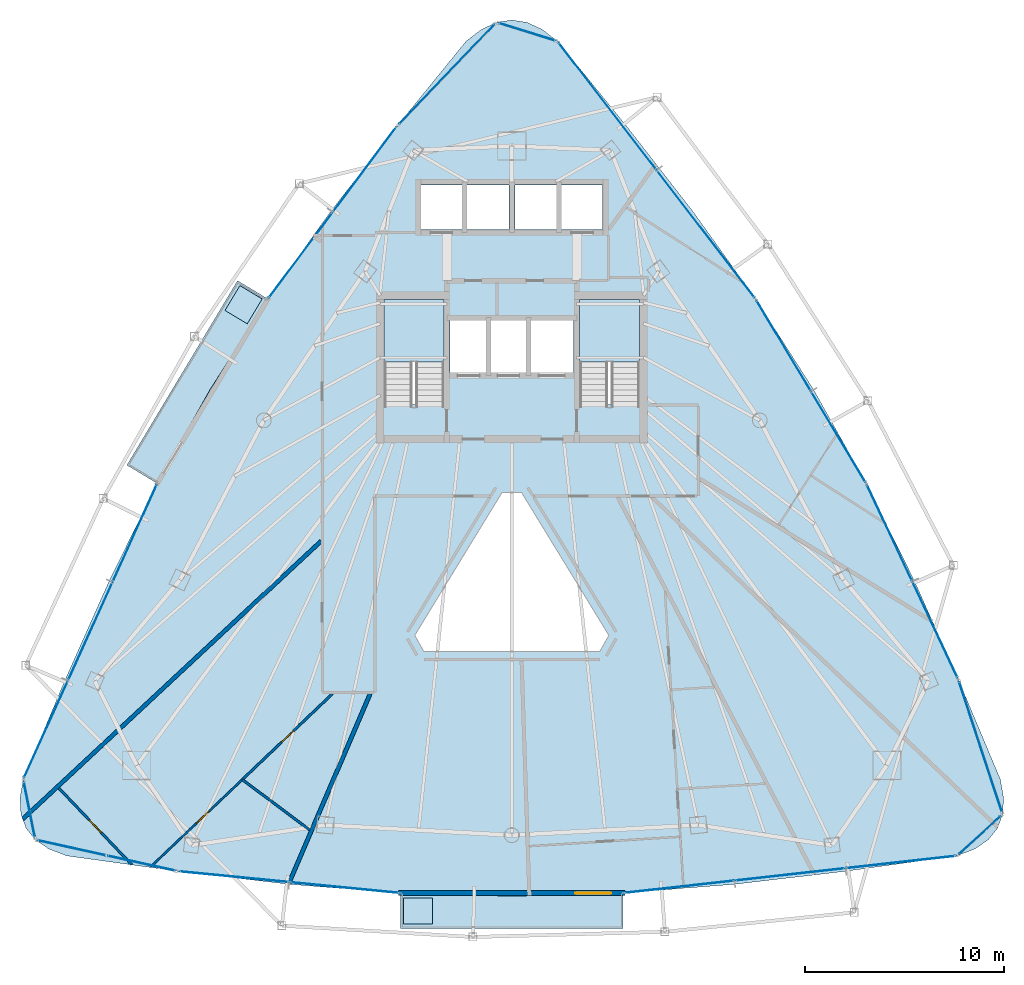
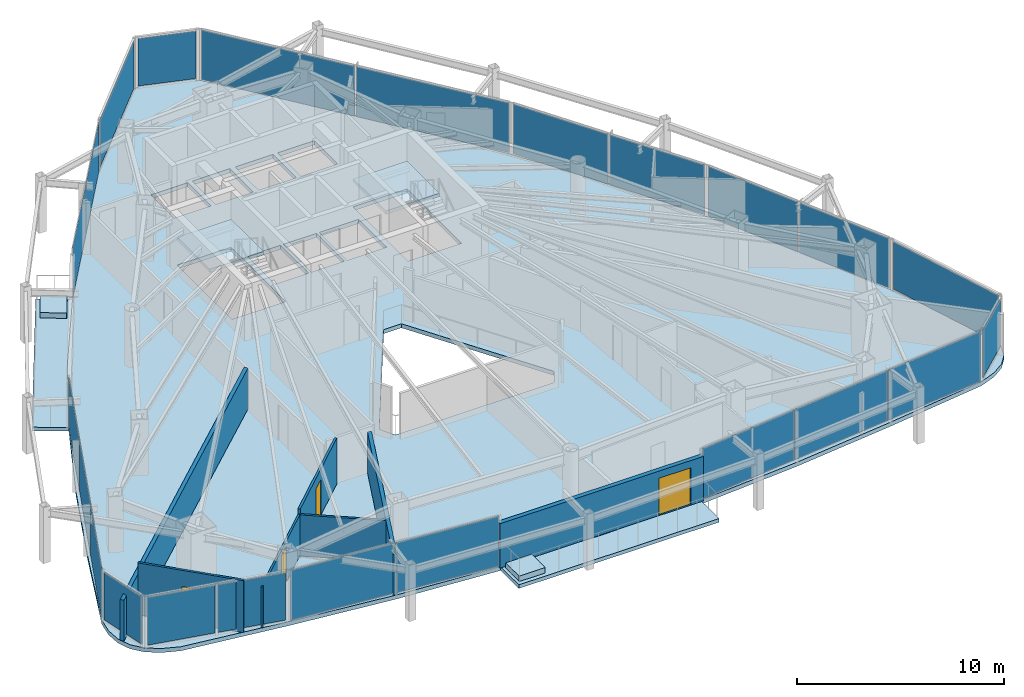
# One storey, part 23 of 29: 23 plates, 7 slabs, 7 walls, 4 doors, 4 openings, 15 elements without a shape of their own.
"""IFC4 building model written with IfcOpenShell, lengths in metres."""

from ifc_helpers import new_model, si_unit, direction, frame, frame_2d, origin, origin_2d, place, context, subcontext, project, spatial, polyline, rectangle, outline, extrude, material, layer, layer_set, type_object, element, fill, aggregate, save


model = new_model("IFC4")

# Units and contexts
model_context = context("Model", 3, precision=1e-05, world=origin(), true_north=direction((0.0, 1.0)))
body_context = subcontext(model_context, "Body", "Model", "MODEL_VIEW")
ifc_project = project(units=[si_unit("LENGTHUNIT", "METRE"), si_unit("AREAUNIT", "SQUARE_METRE"), si_unit("VOLUMEUNIT", "CUBIC_METRE"), si_unit("PLANEANGLEUNIT", "RADIAN"), si_unit("MASSUNIT", "GRAM", prefix="KILO")], contexts=[model_context])

# Site, building, storey
site_placement = place(None, origin())
site = spatial("IfcSite", under=ifc_project, at=site_placement, CompositionType="ELEMENT")
building_placement = place(site_placement, origin())
building = spatial("IfcBuilding", under=site, at=building_placement, Name="Orvanel Arch Residences", CompositionType="ELEMENT")
storey_placement = place(building_placement, frame((0.0, 0.0, 170.449951171875)))
storey = spatial("IfcBuildingStorey", under=building, at=storey_placement, Name="L48", CompositionType="ELEMENT", Elevation=170.449951171875)

# Curtain wall, plates
ifc_material_1 = material(Name="Bronze-anodised aluminium AA6063-T6", Category="aluminium")
ifc_layer_1 = layer(ifc_material_1, 0.179931640625)
ifc_layer_set_1 = layer_set([ifc_layer_1], Name="Bronze-anodised aluminium AA6063-T6")
curtain_wall_type_1 = type_object("IfcCurtainWallType", Name="CW3-MID-SYS", PredefinedType="NOTDEFINED", material=ifc_layer_set_1)
curtain_wall_1_placement = place(storey_placement, origin())
curtain_wall_1 = element("IfcCurtainWall", 1, at=curtain_wall_1_placement, inside=storey, type_object=curtain_wall_type_1, Name="L48 CW3-MID-SYS Unitised Curtain Wall", PredefinedType="NOTDEFINED")
ifc_material_2 = material(Name="Double-glazed solar-control low-E safety glass", Category="glass")
ifc_layer_2 = layer(ifc_material_2, 0.028076171875)
ifc_layer_set_2 = layer_set([ifc_layer_2], Name="Double-glazed solar-control low-E safety glass")
plate_type_1 = type_object("IfcPlateType", Name="PNL-GLZ-28", PredefinedType="CURTAIN_PANEL", material=ifc_layer_set_2)
plate_1_placement = place(storey_placement, frame((25.62255859375, 40.218017578125, 0.06005859375), z_axis=(0.0, 0.0, 1.0), x_axis=(-0.598279718492, -0.801287325771, 0.0)))
plate_1 = element("IfcPlate", 2, at=plate_1_placement, type_object=plate_type_1, Name="CW-S3 panel 1.1", PredefinedType="CURTAIN_PANEL", context=body_context, shape_type="SweptSolid", body=[
    extrude(rectangle(XDim=5.293701171875, YDim=0.028076171875, at=origin_2d()), origin(), (0.0, 0.0, 1.0), 2.93994140625),
])
plate_2_placement = place(storey_placement, frame((22.41357421875, 35.919921875, 0.06005859375), z_axis=(0.0, 0.0, 1.0), x_axis=(-0.598279718492, -0.801287325771, 0.0)))
plate_2 = element("IfcPlate", 3, at=plate_2_placement, type_object=plate_type_1, Name="CW-S3 panel 2.1", PredefinedType="CURTAIN_PANEL", context=body_context, shape_type="SweptSolid", body=[
    extrude(rectangle(XDim=5.293701171875, YDim=0.028076171875, at=origin_2d()), origin(), (0.0, 0.0, 1.0), 2.93994140625),
])
aggregate(curtain_wall_1, [plate_1, plate_2])

curtain_wall_2_placement = place(storey_placement, origin())
curtain_wall_2 = element("IfcCurtainWall", 4, at=curtain_wall_2_placement, inside=storey, type_object=curtain_wall_type_1, Name="L48 CW3-MID-SYS Unitised Curtain Wall", PredefinedType="NOTDEFINED")
plate_3_placement = place(storey_placement, frame((14.09765625, 21.9814453125, 0.06005859375), z_axis=(0.0, 0.0, 1.0), x_axis=(-0.412726386119, -0.910855054441, 0.0)))
plate_3 = element("IfcPlate", 5, at=plate_3_placement, type_object=plate_type_1, Name="CW-S3 panel 1.1", PredefinedType="CURTAIN_PANEL", context=body_context, shape_type="SweptSolid", body=[
    extrude(rectangle(XDim=5.30859375, YDim=0.028076171875, at=origin_2d()), origin(), (0.0, 0.0, 1.0), 2.93994140625),
])
plate_4_placement = place(storey_placement, frame((11.87060546875, 17.06640625, 0.06005859375), z_axis=(0.0, 0.0, 1.0), x_axis=(-0.412726386119, -0.910855054441, 0.0)))
plate_4 = element("IfcPlate", 6, at=plate_4_placement, type_object=plate_type_1, Name="CW-S3 panel 2.1", PredefinedType="CURTAIN_PANEL", context=body_context, shape_type="SweptSolid", body=[
    extrude(rectangle(XDim=5.343505859375, YDim=0.028076171875, at=origin_2d()), origin(), (0.0, 0.0, 1.0), 2.93994140625),
])
plate_5_placement = place(storey_placement, frame((9.643310546875, 12.1513671875, 0.06005859375), z_axis=(0.0, 0.0, 1.0), x_axis=(-0.412726386119, -0.910855054441, 0.0)))
plate_5 = element("IfcPlate", 7, at=plate_5_placement, type_object=plate_type_1, Name="CW-S3 panel 3.1", PredefinedType="CURTAIN_PANEL", context=body_context, shape_type="SweptSolid", body=[
    extrude(rectangle(XDim=5.30859375, YDim=0.028076171875, at=origin_2d()), origin(), (0.0, 0.0, 1.0), 2.93994140625),
])
aggregate(curtain_wall_2, [plate_3, plate_4, plate_5])

curtain_wall_3_placement = place(storey_placement, origin())
curtain_wall_3 = element("IfcCurtainWall", 8, at=curtain_wall_3_placement, inside=storey, type_object=curtain_wall_type_1, Name="L48 CW3-MID-SYS Unitised Curtain Wall", PredefinedType="NOTDEFINED")
plate_6_placement = place(storey_placement, frame((19.081787109375, 4.761962890625, 0.06005859375), z_axis=(0.0, 0.0, 1.0), x_axis=(0.995236362912, -0.097491445455, 0.0)))
plate_6 = element("IfcPlate", 9, at=plate_6_placement, type_object=plate_type_1, Name="CW-S3 panel 1.1", PredefinedType="CURTAIN_PANEL", context=body_context, shape_type="SweptSolid", body=[
    extrude(rectangle(XDim=5.480224609375, YDim=0.028076171875, at=origin_2d()), origin(), (0.0, 0.0, 1.0), 2.93994140625),
])
plate_7_placement = place(storey_placement, frame((24.605224609375, 4.220947265625, 0.06005859375), z_axis=(0.0, 0.0, 1.0), x_axis=(0.995236362912, -0.097491445455, 0.0)))
plate_7 = element("IfcPlate", 10, at=plate_7_placement, type_object=plate_type_1, Name="CW-S3 panel 2.1", PredefinedType="CURTAIN_PANEL", context=body_context, shape_type="SweptSolid", body=[
    extrude(rectangle(XDim=5.480224609375, YDim=0.028076171875, at=origin_2d()), origin(), (0.0, 0.0, 1.0), 2.93994140625),
])
aggregate(curtain_wall_3, [plate_6, plate_7])

curtain_wall_4_placement = place(storey_placement, origin())
curtain_wall_4 = element("IfcCurtainWall", 11, at=curtain_wall_4_placement, inside=storey, type_object=curtain_wall_type_1, Name="L48 CW3-MID-SYS Unitised Curtain Wall", PredefinedType="NOTDEFINED")
plate_8_placement = place(storey_placement, frame((41.39794921875, 4.25927734375, 0.06005859375), z_axis=(0.0, 0.0, 1.0), x_axis=(0.993838645003, 0.110836581045, 0.0)))
plate_8 = element("IfcPlate", 12, at=plate_8_placement, type_object=plate_type_1, Name="CW-S3 panel 1.1", PredefinedType="CURTAIN_PANEL", context=body_context, shape_type="SweptSolid", body=[
    extrude(rectangle(XDim=5.494873046875, YDim=0.028076171875, at=origin_2d()), origin(), (0.0, 0.0, 1.0), 2.93994140625),
])
plate_9_placement = place(storey_placement, frame((46.946044921875, 4.8779296875, 0.06005859375), z_axis=(0.0, 0.0, 1.0), x_axis=(0.993838645003, 0.110836581045, 0.0)))
plate_9 = element("IfcPlate", 13, at=plate_9_placement, type_object=plate_type_1, Name="CW-S3 panel 2.1", PredefinedType="CURTAIN_PANEL", context=body_context, shape_type="SweptSolid", body=[
    extrude(rectangle(XDim=5.52978515625, YDim=0.028076171875, at=origin_2d()), origin(), (0.0, 0.0, 1.0), 2.93994140625),
])
plate_10_placement = place(storey_placement, frame((52.493896484375, 5.496826171875, 0.06005859375), z_axis=(0.0, 0.0, 1.0), x_axis=(0.993838645003, 0.110836581045, 0.0)))
plate_10 = element("IfcPlate", 14, at=plate_10_placement, type_object=plate_type_1, Name="CW-S3 panel 3.1", PredefinedType="CURTAIN_PANEL", context=body_context, shape_type="SweptSolid", body=[
    extrude(rectangle(XDim=5.494873046875, YDim=0.028076171875, at=origin_2d()), origin(), (0.0, 0.0, 1.0), 2.93994140625),
])
aggregate(curtain_wall_4, [plate_8, plate_9, plate_10])

curtain_wall_5_placement = place(storey_placement, origin())
curtain_wall_5 = element("IfcCurtainWall", 15, at=curtain_wall_5_placement, inside=storey, type_object=curtain_wall_type_1, Name="L48 CW3-MID-SYS Unitised Curtain Wall", PredefinedType="NOTDEFINED")
plate_11_placement = place(storey_placement, frame((54.21484375, 17.14990234375, 0.06005859375), z_axis=(0.0, 0.0, 1.0), x_axis=(-0.425221547533, 0.905089296983, 0.0)))
plate_11 = element("IfcPlate", 16, at=plate_11_placement, type_object=plate_type_1, Name="CW-S3 panel 1.1", PredefinedType="CURTAIN_PANEL", context=body_context, shape_type="SweptSolid", body=[
    extrude(rectangle(XDim=5.29345703125, YDim=0.028076171875, at=origin_2d()), origin(), (0.0, 0.0, 1.0), 2.93994140625),
])
plate_12_placement = place(storey_placement, frame((51.93408203125, 22.004150390625, 0.06005859375), z_axis=(0.0, 0.0, 1.0), x_axis=(-0.425221547533, 0.905089296983, 0.0)))
plate_12 = element("IfcPlate", 17, at=plate_12_placement, type_object=plate_type_1, Name="CW-S3 panel 2.1", PredefinedType="CURTAIN_PANEL", context=body_context, shape_type="SweptSolid", body=[
    extrude(rectangle(XDim=5.29345703125, YDim=0.028076171875, at=origin_2d()), origin(), (0.0, 0.0, 1.0), 2.93994140625),
])
aggregate(curtain_wall_5, [plate_11, plate_12])

curtain_wall_6_placement = place(storey_placement, origin())
curtain_wall_6 = element("IfcCurtainWall", 18, at=curtain_wall_6_placement, inside=storey, type_object=curtain_wall_type_1, Name="L48 CW3-MID-SYS Unitised Curtain Wall", PredefinedType="NOTDEFINED")
plate_13_placement = place(storey_placement, frame((49.369384765625, 26.81591796875, 0.06005859375), z_axis=(0.0, 0.0, 1.0), x_axis=(-0.514413615102, 0.857542204558, 0.0)))
plate_13 = element("IfcPlate", 19, at=plate_13_placement, type_object=plate_type_1, Name="CW-S3 panel 1.1", PredefinedType="CURTAIN_PANEL", context=body_context, shape_type="SweptSolid", body=[
    extrude(rectangle(XDim=5.26611328125, YDim=0.028076171875, at=origin_2d()), origin(), (0.0, 0.0, 1.0), 2.93994140625),
])
plate_14_placement = place(storey_placement, frame((46.62451171875, 31.39208984375, 0.06005859375), z_axis=(0.0, 0.0, 1.0), x_axis=(-0.514413615102, 0.857542204558, 0.0)))
plate_14 = element("IfcPlate", 20, at=plate_14_placement, type_object=plate_type_1, Name="CW-S3 panel 2.1", PredefinedType="CURTAIN_PANEL", context=body_context, shape_type="SweptSolid", body=[
    extrude(rectangle(XDim=5.26611328125, YDim=0.028076171875, at=origin_2d()), origin(), (0.0, 0.0, 1.0), 2.93994140625),
])
aggregate(curtain_wall_6, [plate_13, plate_14])

curtain_wall_7_placement = place(storey_placement, origin())
curtain_wall_7 = element("IfcCurtainWall", 21, at=curtain_wall_7_placement, inside=storey, type_object=curtain_wall_type_1, Name="L48 CW3-MID-SYS Unitised Curtain Wall", PredefinedType="NOTDEFINED")
plate_15_placement = place(storey_placement, frame((42.727294921875, 36.976318359375, 0.06005859375), z_axis=(0.0, 0.0, 1.0), x_axis=(-0.60931790608, 0.792926030176, 0.0)))
plate_15 = element("IfcPlate", 22, at=plate_15_placement, type_object=plate_type_1, Name="CW-S3 panel 1.1", PredefinedType="CURTAIN_PANEL", context=body_context, shape_type="SweptSolid", body=[
    extrude(rectangle(XDim=8.015625, YDim=0.028076171875, at=origin_2d()), origin(), (0.0, 0.0, 1.0), 2.93994140625),
])
plate_16_placement = place(storey_placement, frame((37.80078125, 43.3876953125, 0.06005859375), z_axis=(0.0, 0.0, 1.0), x_axis=(-0.60931790608, 0.792926030176, 0.0)))
plate_16 = element("IfcPlate", 23, at=plate_16_placement, type_object=plate_type_1, Name="CW-S3 panel 2.1", PredefinedType="CURTAIN_PANEL", context=body_context, shape_type="SweptSolid", body=[
    extrude(rectangle(XDim=8.015625, YDim=0.028076171875, at=origin_2d()), origin(), (0.0, 0.0, 1.0), 2.93994140625),
])
aggregate(curtain_wall_7, [plate_15, plate_16])

# Curtain wall, plate
ifc_layer_3 = layer(ifc_material_1, 0.18994140625)
ifc_layer_set_3 = layer_set([ifc_layer_3], Name="Bronze-anodised aluminium AA6063-T6")
curtain_wall_type_2 = type_object("IfcCurtainWallType", Name="CW5-CRN-SYS", PredefinedType="NOTDEFINED", material=ifc_layer_set_3)
curtain_wall_8_placement = place(storey_placement, origin())
curtain_wall_8 = element("IfcCurtainWall", 24, at=curtain_wall_8_placement, inside=storey, type_object=curtain_wall_type_2, Name="L48 CW5-CRN-SYS Unitised Curtain Wall", PredefinedType="NOTDEFINED")
ifc_layer_4 = layer(ifc_material_2, 0.031982421875)
ifc_layer_set_4 = layer_set([ifc_layer_4], Name="Double-glazed solar-control low-E safety glass")
plate_type_2 = type_object("IfcPlateType", Name="PNL-GLZ-32", PredefinedType="CURTAIN_PANEL", material=ifc_layer_set_4)
plate_17_placement = place(storey_placement, frame((33.76806640625, 47.114990234375, 0.1298828125), z_axis=(0.0, 0.0, 1.0), x_axis=(-0.954848840778, 0.29709205857, 0.0)))
plate_17 = element("IfcPlate", 25, at=plate_17_placement, type_object=plate_type_2, Name="CW-S5 panel 1.1", PredefinedType="CURTAIN_PANEL", context=body_context, shape_type="SweptSolid", body=[
    extrude(rectangle(XDim=2.87744140625, YDim=0.031982421875, at=origin_2d()), origin(), (0.0, 0.0, 1.0), 2.800048828125),
])
aggregate(curtain_wall_8, [plate_17])

curtain_wall_9_placement = place(storey_placement, origin())
curtain_wall_9 = element("IfcCurtainWall", 26, at=curtain_wall_9_placement, inside=storey, type_object=curtain_wall_type_2, Name="L48 CW5-CRN-SYS Unitised Curtain Wall", PredefinedType="NOTDEFINED")
plate_18_placement = place(storey_placement, frame((29.74609375, 45.001953125, 0.1298828125), z_axis=(0.0, 0.0, 1.0), x_axis=(-0.692251972055, -0.721655878647, 0.0)))
plate_18 = element("IfcPlate", 27, at=plate_18_placement, type_object=plate_type_2, Name="CW-S5 panel 1.1", PredefinedType="CURTAIN_PANEL", context=body_context, shape_type="SweptSolid", body=[
    extrude(rectangle(XDim=6.841796875, YDim=0.031982421875, at=origin_2d()), origin(), (0.0, 0.0, 1.0), 2.800048828125),
])
aggregate(curtain_wall_9, [plate_18])

curtain_wall_10_placement = place(storey_placement, origin())
curtain_wall_10 = element("IfcCurtainWall", 28, at=curtain_wall_10_placement, inside=storey, type_object=curtain_wall_type_2, Name="L48 CW5-CRN-SYS Unitised Curtain Wall", PredefinedType="NOTDEFINED")
plate_19_placement = place(storey_placement, frame((8.81396484375, 8.132568359375, 0.1298828125), z_axis=(0.0, 0.0, 1.0), x_axis=(0.19555012898, -0.980693707054, 0.0)))
plate_19 = element("IfcPlate", 29, at=plate_19_placement, type_object=plate_type_2, Name="CW-S5 panel 1.1", PredefinedType="CURTAIN_PANEL", context=body_context, shape_type="SweptSolid", body=[
    extrude(rectangle(XDim=2.758056640625, YDim=0.031982421875, at=origin_2d()), origin(), (0.0, 0.0, 1.0), 2.800048828125),
])
aggregate(curtain_wall_10, [plate_19])

# Curtain wall, plates
curtain_wall_11_placement = place(storey_placement, origin())
curtain_wall_11 = element("IfcCurtainWall", 30, at=curtain_wall_11_placement, inside=storey, type_object=curtain_wall_type_2, Name="L48 CW5-CRN-SYS Unitised Curtain Wall", PredefinedType="NOTDEFINED")
plate_20_placement = place(storey_placement, frame((10.95068359375, 6.209228515625, 0.1298828125), z_axis=(0.0, 0.0, 1.0), x_axis=(0.97655096553, -0.2152863482, 0.0)))
plate_20 = element("IfcPlate", 31, at=plate_20_placement, type_object=plate_type_2, Name="CW-S5 panel 1.1", PredefinedType="CURTAIN_PANEL", context=body_context, shape_type="SweptSolid", body=[
    extrude(rectangle(XDim=3.414306640625, YDim=0.031982421875, at=origin_2d()), origin(), (0.0, 0.0, 1.0), 2.800048828125),
])
plate_21_placement = place(storey_placement, frame((14.431396484375, 5.44189453125, 0.1298828125), z_axis=(0.0, 0.0, 1.0), x_axis=(0.97655096553, -0.2152863482, 0.0)))
plate_21 = element("IfcPlate", 32, at=plate_21_placement, type_object=plate_type_2, Name="CW-S5 panel 2.1", PredefinedType="CURTAIN_PANEL", context=body_context, shape_type="SweptSolid", body=[
    extrude(rectangle(XDim=3.414306640625, YDim=0.031982421875, at=origin_2d()), origin(), (0.0, 0.0, 1.0), 2.800048828125),
])
aggregate(curtain_wall_11, [plate_20, plate_21])

# Curtain wall, plate
curtain_wall_12_placement = place(storey_placement, origin())
curtain_wall_12 = element("IfcCurtainWall", 33, at=curtain_wall_12_placement, inside=storey, type_object=curtain_wall_type_2, Name="L48 CW5-CRN-SYS Unitised Curtain Wall", PredefinedType="NOTDEFINED")
plate_22_placement = place(storey_placement, frame((56.4609375, 6.8525390625, 0.1298828125), z_axis=(0.0, 0.0, 1.0), x_axis=(0.740132345266, 0.672461234192, 0.0)))
plate_22 = element("IfcPlate", 34, at=plate_22_placement, type_object=plate_type_2, Name="CW-S5 panel 1.1", PredefinedType="CURTAIN_PANEL", context=body_context, shape_type="SweptSolid", body=[
    extrude(rectangle(XDim=2.759033203125, YDim=0.031982421875, at=origin_2d()), origin(), (0.0, 0.0, 1.0), 2.800048828125),
])
aggregate(curtain_wall_12, [plate_22])

curtain_wall_13_placement = place(storey_placement, origin())
curtain_wall_13 = element("IfcCurtainWall", 35, at=curtain_wall_13_placement, inside=storey, type_object=curtain_wall_type_2, Name="L48 CW5-CRN-SYS Unitised Curtain Wall", PredefinedType="NOTDEFINED")
plate_23_placement = place(storey_placement, frame((56.493408203125, 11.283447265625, 0.1298828125), z_axis=(0.0, 0.0, 1.0), x_axis=(-0.312420373744, 0.949943951015, 0.0)))
plate_23 = element("IfcPlate", 36, at=plate_23_placement, type_object=plate_type_2, Name="CW-S5 panel 1.1", PredefinedType="CURTAIN_PANEL", context=body_context, shape_type="SweptSolid", body=[
    extrude(rectangle(XDim=6.796142578125, YDim=0.031982421875, at=origin_2d()), origin(), (0.0, 0.0, 1.0), 2.800048828125),
])
aggregate(curtain_wall_13, [plate_23])

# Slabs
ifc_material_3 = material(Name="Concrete N40 (40 MPa)", Category="concrete")
ifc_layer_5 = layer(ifc_material_3, 0.215087890625)
ifc_layer_set_5 = layer_set([ifc_layer_5], Name="Concrete N40 (40 MPa)")
slab_type_1 = type_object("IfcSlabType", Name="SLB-BAL-215", PredefinedType="FLOOR", material=ifc_layer_set_5)
slab_1_placement = place(storey_placement, frame((0.0, 0.0, -0.21484375)))
element("IfcSlab", 37, at=slab_1_placement, inside=storey, type_object=slab_type_1, Name="L48 Cantilevered Balcony Slab Face 1", PredefinedType="FLOOR", context=body_context, shape_type="SweptSolid", body=[
    extrude(outline(polyline([(19.25, 34.64306640625), (13.7041015625, 25.39697265625), (15.22998046875, 24.48095703125), (17.87109375, 29.18310546875), (20.77587890625, 33.72705078125), (19.25, 34.64306640625)])), origin(), (0.0, 0.0, 1.0), 0.21484375),
])
slab_2_placement = place(storey_placement, frame((0.0, 0.0, -0.21484375)))
element("IfcSlab", 38, at=slab_2_placement, inside=storey, type_object=slab_type_1, Name="L48 Cantilevered Balcony Slab Face 2", PredefinedType="FLOOR", context=body_context, shape_type="SweptSolid", body=[
    extrude(outline(polyline([(27.422119140625, 2.1650390625), (38.577880859375, 2.1650390625), (38.577880859375, 3.945068359375), (33.0, 3.791015625), (27.422119140625, 3.945068359375), (27.422119140625, 2.1650390625)])), origin(), (0.0, 0.0, 1.0), 0.21484375),
])

# Stair, slab
ifc_material_4 = material(Name="Precast concrete N50 (50 MPa)", Category="concrete")
stair_type = type_object("IfcStairType", Name="STR-DOG-184", PredefinedType="USERDEFINED", material=ifc_material_4)
stair_1_placement = place(storey_placement, origin())
stair_1 = element("IfcStair", 39, at=stair_1_placement, inside=storey, type_object=stair_type, Name="L48 Fire-Isolated Core Exit Stair 1", ObjectType="TWO_RETURN_STAIR", PredefinedType="USERDEFINED")
ifc_layer_6 = layer(ifc_material_3, 0.199951171875)
ifc_layer_set_6 = layer_set([ifc_layer_6], Name="Concrete N40 (40 MPa)")
slab_type_2 = type_object("IfcSlabType", Name="SLB-LND-200", PredefinedType="LANDING", material=ifc_layer_set_6)
slab_3_placement = place(storey_placement, frame((0.0, 0.0, 1.449951171875)))
slab_3 = element("IfcSlab", 40, at=slab_3_placement, type_object=slab_type_2, Name="ST-1 landing 1", PredefinedType="LANDING", context=body_context, shape_type="SweptSolid", body=[
    extrude(outline(polyline([(29.60009765625, 30.56005859375), (29.60009765625, 33.699951171875), (26.60009765625, 33.699951171875), (26.60009765625, 30.56005859375), (29.60009765625, 30.56005859375)])), origin(), (0.0, 0.0, 1.0), 0.2001953125),
])
aggregate(stair_1, [slab_3])

stair_2_placement = place(storey_placement, origin())
stair_2 = element("IfcStair", 41, at=stair_2_placement, inside=storey, type_object=stair_type, Name="L48 Fire-Isolated Core Exit Stair 2", ObjectType="TWO_RETURN_STAIR", PredefinedType="USERDEFINED")
slab_4_placement = place(storey_placement, frame((0.0, 0.0, 1.449951171875)))
slab_4 = element("IfcSlab", 42, at=slab_4_placement, type_object=slab_type_2, Name="ST-2 landing 1", PredefinedType="LANDING", context=body_context, shape_type="SweptSolid", body=[
    extrude(outline(polyline([(39.39990234375, 30.56005859375), (39.39990234375, 33.699951171875), (36.39990234375, 33.699951171875), (36.39990234375, 30.56005859375), (39.39990234375, 30.56005859375)])), origin(), (0.0, 0.0, 1.0), 0.2001953125),
])
aggregate(stair_2, [slab_4])

# Slabs
ifc_material_5 = material(Name="Structural architectural precast concrete N40 (40 MPa) planter", Category="concrete")
ifc_layer_7 = layer(ifc_material_5, 0.320068359375)
ifc_layer_set_7 = layer_set([ifc_layer_7], Name="Structural architectural precast concrete N40 (40 MPa) planter")
slab_type_3 = type_object("IfcSlabType", Name="SLB-PLN-320", PredefinedType="USERDEFINED", material=ifc_layer_set_7)
slab_5_placement = place(storey_placement, origin())
element("IfcSlab", 43, at=slab_5_placement, inside=storey, type_object=slab_type_3, Name="L48 Balcony TREE PLANTER Face 1", ObjectType="PLANTER", PredefinedType="USERDEFINED", context=body_context, shape_type="SweptSolid", body=[
    extrude(outline(polyline([(19.3701171875, 34.39599609375), (18.6240234375, 33.153076171875), (19.739013671875, 32.48388671875), (20.485107421875, 33.72705078125), (19.3701171875, 34.39599609375)])), origin(), (0.0, 0.0, 1.0), 0.320068359375),
])
slab_6_placement = place(storey_placement, origin())
element("IfcSlab", 44, at=slab_6_placement, inside=storey, type_object=slab_type_3, Name="L48 Balcony TREE PLANTER Face 2", ObjectType="PLANTER", PredefinedType="USERDEFINED", context=body_context, shape_type="SweptSolid", body=[
    extrude(outline(polyline([(27.572021484375, 2.39501953125), (29.02197265625, 2.39501953125), (29.02197265625, 3.695068359375), (27.572021484375, 3.695068359375), (27.572021484375, 2.39501953125)])), origin(), (0.0, 0.0, 1.0), 0.320068359375),
])
ifc_layer_8 = layer(ifc_material_3, 0.239990234375)
ifc_layer_set_8 = layer_set([ifc_layer_8], Name="Concrete N40 (40 MPa)")
slab_type_4 = type_object("IfcSlabType", Name="SLB-TYP-240", PredefinedType="FLOOR", material=ifc_layer_set_8)
slab_7_placement = place(storey_placement, frame((0.0, 0.0, -0.239990234375)))
element("IfcSlab", 45, at=slab_7_placement, inside=storey, type_object=slab_type_4, Name="L48 Tower Floor Slab", PredefinedType="FLOOR", context=body_context, shape_type="SweptSolid", body=[
    extrude(outline(polyline([(35.303955078125, 46.636962890625), (34.535888671875, 47.23388671875), (33.76806640625, 47.593017578125), (33.0, 47.7119140625), (32.23193359375, 47.593017578125), (31.464111328125, 47.23388671875), (30.696044921875, 46.636962890625), (27.260009765625, 42.410888671875), (23.925048828125, 38.125), (20.77587890625, 33.72705078125), (17.87109375, 29.18310546875), (15.22998046875, 24.48095703125), (12.83203125, 19.633056640625), (10.62109375, 14.673095703125), (8.510986328125, 9.652099609375), (8.345947265625, 8.712890625), (8.39208984375, 7.89404296875), (8.64892578125, 7.194091796875), (9.116943359375, 6.613037109375), (9.7958984375, 6.152099609375), (10.68603515625, 5.81103515625), (16.264892578125, 5.0380859375), (21.843017578125, 4.383056640625), (27.422119140625, 3.945068359375), (33.0, 3.791015625), (38.577880859375, 3.945068359375), (44.156982421875, 4.383056640625), (49.735107421875, 5.0380859375), (55.31396484375, 5.81103515625), (56.2041015625, 6.152099609375), (56.883056640625, 6.613037109375), (57.35107421875, 7.194091796875), (57.60791015625, 7.89404296875), (57.654052734375, 8.712890625), (57.489013671875, 9.652099609375), (55.37890625, 14.673095703125), (53.16796875, 19.633056640625), (50.77001953125, 24.48095703125), (48.12890625, 29.18310546875), (45.22412109375, 33.72705078125), (42.074951171875, 38.125), (38.739990234375, 42.410888671875), (35.303955078125, 46.636962890625)]), holes=[polyline([(26.60009765625, 28.429931640625), (26.60009765625, 33.699951171875), (29.60009765625, 33.699951171875), (29.60009765625, 28.429931640625), (26.60009765625, 28.429931640625)]), polyline([(36.39990234375, 28.429931640625), (36.39990234375, 33.699951171875), (39.39990234375, 33.699951171875), (39.39990234375, 28.429931640625), (36.39990234375, 28.429931640625)]), polyline([(29.89990234375, 32.64990234375), (31.75, 32.64990234375), (31.75, 29.949951171875), (29.89990234375, 29.949951171875), (29.89990234375, 32.64990234375)]), polyline([(31.89990234375, 32.64990234375), (33.75, 32.64990234375), (33.75, 29.949951171875), (31.89990234375, 29.949951171875), (31.89990234375, 32.64990234375)]), polyline([(33.89990234375, 32.64990234375), (36.10009765625, 32.64990234375), (36.10009765625, 29.949951171875), (33.89990234375, 29.949951171875), (33.89990234375, 32.64990234375)]), polyline([(28.449951171875, 39.449951171875), (30.5, 39.449951171875), (30.5, 37.199951171875), (28.449951171875, 37.199951171875), (28.449951171875, 39.449951171875)]), polyline([(35.5, 39.449951171875), (37.550048828125, 39.449951171875), (37.550048828125, 37.199951171875), (35.5, 37.199951171875), (35.5, 39.449951171875)]), polyline([(30.75, 39.449951171875), (32.85009765625, 39.449951171875), (32.85009765625, 37.199951171875), (30.75, 37.199951171875), (30.75, 39.449951171875)]), polyline([(33.14990234375, 39.449951171875), (35.25, 39.449951171875), (35.25, 37.199951171875), (33.14990234375, 37.199951171875), (33.14990234375, 39.449951171875)]), polyline([(37.865966796875, 16.865966796875), (37.4130859375, 16.05908203125), (28.5869140625, 16.05908203125), (28.134033203125, 16.865966796875), (32.507080078125, 24.01904296875), (33.492919921875, 24.01904296875), (37.865966796875, 16.865966796875)])]), origin(), (0.0, 0.0, 1.0), 0.239990234375),
])

# Wall, opening, door
ifc_layer_9 = layer(ifc_material_4, 0.239990234375)
ifc_layer_set_9 = layer_set([ifc_layer_9], Name="Precast concrete N50 (50 MPa)")
wall_type_1 = type_object("IfcWallType", Name="EW-BAL-240", PredefinedType="SOLIDWALL", material=ifc_layer_set_9)
wall_1_placement = place(storey_placement, frame((27.323974609375, 3.945068359375, 0.0), z_axis=(0.0, 0.0, 1.0), x_axis=(1.0, 0.0, 0.0)))
wall_1 = element("IfcWall", 46, at=wall_1_placement, inside=storey, type_object=wall_type_1, Name="L48 Balcony Threshold Wall Face 2", PredefinedType="SOLIDWALL", context=body_context, shape_type="SweptSolid", body=[
    extrude(rectangle(XDim=11.35205078125, YDim=0.239990234375, at=frame_2d((5.676025390625, 0.0))), origin(), (0.0, 0.0, 1.0), 2.6240234375),
])
opening_1_placement = place(wall_1_placement, frame((8.85498046875, 0.0, 0.0)))
opening_1 = element("IfcOpeningElement", 47, at=opening_1_placement, cuts=wall_1, Name="Opening DB-180", PredefinedType="OPENING", context=body_context, shape_type="SweptSolid", body=[
    extrude(rectangle(XDim=1.800048828125, YDim=2.199951171875, at=frame_2d((0.89990234375, 1.10009765625))), frame((0.0, 0.1298828125, 0.0), z_axis=(0.0, -1.0, 0.0), x_axis=(1.0, 0.0, 0.0)), (0.0, 0.0, 1.0), 0.260009765625),
])
door_type_1 = type_object("IfcDoorType", Name="DR-BAL-1800", OperationType="NOTDEFINED", PredefinedType="DOOR", material=ifc_material_1)
door_1_placement = place(opening_1_placement, origin())
door_1 = element("IfcDoor", 48, at=door_1_placement, inside=storey, type_object=door_type_1, Name="DR-L48-BAL-F2 L48 Planted Balcony Access Door Face 2", OperationType="SINGLE_SWING_RIGHT", OverallHeight=2.199951171875, OverallWidth=1.800048828125, PredefinedType="DOOR", context=body_context, shape_type="SweptSolid", body=[
    extrude(rectangle(XDim=1.800048828125, YDim=2.199951171875, at=frame_2d((0.89990234375, 1.10009765625))), frame((0.0, 0.02490234375, 0.0), z_axis=(0.0, -1.0, 0.0), x_axis=(1.0, 0.0, 0.0)), (0.0, 0.0, 1.0), 0.050048828125),
])
fill(opening_1, door_1)

# Walls
ifc_material_6 = material(Name="Fire-rated plasterboard lined steel stud partition", Category="steel")
ifc_layer_10 = layer(ifc_material_6, 0.199951171875)
ifc_layer_set_10 = layer_set([ifc_layer_10], Name="Fire-rated plasterboard lined steel stud partition")
wall_type_2 = type_object("IfcWallType", Name="W-DEM-200", PredefinedType="PARTITIONING", material=ifc_layer_set_10)
wall_2_placement = place(storey_placement, frame((23.43994140625, 21.590087890625, 0.0), z_axis=(0.0, 0.0, 1.0), x_axis=(-0.731574776166, -0.681761209572, 0.0)))
element("IfcWall", 49, at=wall_2_placement, inside=storey, type_object=wall_type_2, Name="L48 Inter-Tenancy Acoustic Demising Wall", PredefinedType="PARTITIONING", context=body_context, shape_type="SweptSolid", body=[
    extrude(rectangle(XDim=20.4326171875, YDim=0.199951171875, at=frame_2d((10.21630859375, 0.0))), origin(), (0.0, 0.0, 1.0), 2.4130859375),
])
wall_3_placement = place(storey_placement, frame((25.90087890625, 13.93994140625, 0.0), z_axis=(0.0, 0.0, 1.0), x_axis=(-0.394055564824, -0.919086618242, 0.0)))
element("IfcWall", 50, at=wall_3_placement, inside=storey, type_object=wall_type_2, Name="L48 Inter-Tenancy Acoustic Demising Wall", PredefinedType="PARTITIONING", context=body_context, shape_type="SweptSolid", body=[
    extrude(rectangle(XDim=10.37890625, YDim=0.199951171875, at=frame_2d((5.189453125, 0.0))), origin(), (0.0, 0.0, 1.0), 2.4130859375),
])

# Wall, opening, door
ifc_material_7 = material(Name="Acoustic plasterboard lined twin-stud partition", Category="gypsum")
ifc_layer_11 = layer(ifc_material_7, 0.10009765625)
ifc_layer_set_11 = layer_set([ifc_layer_11], Name="Acoustic plasterboard lined twin-stud partition")
wall_type_3 = type_object("IfcWallType", Name="W-INT-100", PredefinedType="PARTITIONING", material=ifc_layer_set_11)
wall_4_placement = place(storey_placement, frame((19.489990234375, 9.634033203125, 0.0), z_axis=(0.0, 0.0, 1.0), x_axis=(-0.724311078703, -0.68947332165, 0.0)))
wall_4 = element("IfcWall", 51, at=wall_4_placement, inside=storey, type_object=wall_type_3, Name="L48 Flat C Internal Partition", PredefinedType="PARTITIONING", context=body_context, shape_type="SweptSolid", body=[
    extrude(rectangle(XDim=6.3701171875, YDim=0.10009765625, at=frame_2d((3.18505859375, 0.0))), origin(), (0.0, 0.0, 1.0), 2.4130859375),
])
opening_2_placement = place(wall_4_placement, frame((2.300048828125, 0.0, 0.0)))
opening_2 = element("IfcOpeningElement", 52, at=opening_2_placement, cuts=wall_4, Name="Opening DI-088", PredefinedType="OPENING", context=body_context, shape_type="SweptSolid", body=[
    extrude(rectangle(XDim=0.8798828125, YDim=2.10009765625, at=frame_2d((0.43994140625, 1.050048828125))), frame((0.0, 0.06005859375, 0.0), z_axis=(0.0, -1.0, 0.0), x_axis=(1.0, 0.0, 0.0)), (0.0, 0.0, 1.0), 0.1201171875),
])
ifc_material_8 = material(Name="Solid-core European oak veneer fire door leaf", Category="wood")
door_type_2 = type_object("IfcDoorType", Name="DR-INT-880", OperationType="NOTDEFINED", PredefinedType="DOOR", material=ifc_material_8)
door_2_placement = place(opening_2_placement, origin())
door_2 = element("IfcDoor", 53, at=door_2_placement, inside=storey, type_object=door_type_2, Name="DR-L48-C-BED1 L48 Flat C Bedroom 1 Door", OperationType="SINGLE_SWING_LEFT", OverallHeight=2.10009765625, OverallWidth=0.8798828125, PredefinedType="DOOR", context=body_context, shape_type="SweptSolid", body=[
    extrude(rectangle(XDim=0.8798828125, YDim=2.10009765625, at=frame_2d((0.43994140625, 1.050048828125))), frame((0.0, 0.02490234375, 0.0), z_axis=(0.0, -1.0, 0.0), x_axis=(1.0, 0.0, 0.0)), (0.0, 0.0, 1.0), 0.050048828125),
])
fill(opening_2, door_2)

ifc_layer_12 = layer(ifc_material_7, 0.1201171875)
ifc_layer_set_12 = layer_set([ifc_layer_12], Name="Acoustic plasterboard lined twin-stud partition")
wall_type_4 = type_object("IfcWallType", Name="W-WET-120", PredefinedType="PARTITIONING", material=ifc_layer_set_12)
wall_5_placement = place(storey_placement, frame((24.013916015625, 13.93994140625, 0.0), z_axis=(0.0, 0.0, 1.0), x_axis=(-0.724345202964, -0.68943747138, 0.0)))
wall_5 = element("IfcWall", 54, at=wall_5_placement, inside=storey, type_object=wall_type_4, Name="L48 Flat C Bathroom Partition", PredefinedType="PARTITIONING", context=body_context, shape_type="SweptSolid", body=[
    extrude(rectangle(XDim=6.24560546875, YDim=0.1201171875, at=frame_2d((3.122802734375, 0.0))), origin(), (0.0, 0.0, 1.0), 2.720947265625),
])
opening_3_placement = place(wall_5_placement, frame((2.712890625, 0.0, 0.0)))
opening_3 = element("IfcOpeningElement", 55, at=opening_3_placement, cuts=wall_5, Name="Opening DW-082", PredefinedType="OPENING", context=body_context, shape_type="SweptSolid", body=[
    extrude(rectangle(XDim=0.820068359375, YDim=2.10009765625, at=frame_2d((0.41015625, 1.050048828125))), frame((0.0, 0.070068359375, 0.0), z_axis=(0.0, -1.0, 0.0), x_axis=(1.0, 0.0, 0.0)), (0.0, 0.0, 1.0), 0.14013671875),
])
door_type_3 = type_object("IfcDoorType", Name="DR-WET-820", OperationType="NOTDEFINED", PredefinedType="DOOR", material=ifc_material_8)
door_3_placement = place(opening_3_placement, origin())
door_3 = element("IfcDoor", 56, at=door_3_placement, inside=storey, type_object=door_type_3, Name="DR-L48-C-BATH L48 Flat C Bathroom Door", OperationType="SINGLE_SWING_RIGHT", OverallHeight=2.10009765625, OverallWidth=0.820068359375, PredefinedType="DOOR", context=body_context, shape_type="SweptSolid", body=[
    extrude(rectangle(XDim=0.820068359375, YDim=2.10009765625, at=frame_2d((0.41015625, 1.050048828125))), frame((0.0, 0.02490234375, 0.0), z_axis=(0.0, -1.0, 0.0), x_axis=(1.0, 0.0, 0.0)), (0.0, 0.0, 1.0), 0.050048828125),
])
fill(opening_3, door_3)

wall_6_placement = place(storey_placement, frame((13.947021484375, 5.368896484375, 0.0), z_axis=(0.0, 0.0, 1.0), x_axis=(-0.689563334415, 0.724225384691, 0.0)))
wall_6 = element("IfcWall", 57, at=wall_6_placement, inside=storey, type_object=wall_type_4, Name="L48 Flat C Internal Partition", PredefinedType="PARTITIONING", context=body_context, shape_type="SweptSolid", body=[
    extrude(rectangle(XDim=5.310791015625, YDim=0.1201171875, at=frame_2d((2.6552734375, 0.0))), origin(), (0.0, 0.0, 1.0), 3.06005859375),
])
opening_4_placement = place(wall_6_placement, frame((2.215087890625, 0.0, 0.0)))
opening_4 = element("IfcOpeningElement", 58, at=opening_4_placement, cuts=wall_6, Name="Opening DI-088", PredefinedType="OPENING", context=body_context, shape_type="SweptSolid", body=[
    extrude(rectangle(XDim=0.8798828125, YDim=2.10009765625, at=frame_2d((0.43994140625, 1.050048828125))), frame((0.0, 0.070068359375, 0.0), z_axis=(0.0, -1.0, 0.0), x_axis=(1.0, 0.0, 0.0)), (0.0, 0.0, 1.0), 0.14013671875),
])
door_4_placement = place(opening_4_placement, origin())
door_4 = element("IfcDoor", 59, at=door_4_placement, inside=storey, type_object=door_type_2, Name="DR-L48-C-KIT L48 Flat C Kitchen Door", OperationType="SINGLE_SWING_LEFT", OverallHeight=2.10009765625, OverallWidth=0.8798828125, PredefinedType="DOOR", context=body_context, shape_type="SweptSolid", body=[
    extrude(rectangle(XDim=0.8798828125, YDim=2.10009765625, at=frame_2d((0.43994140625, 1.050048828125))), frame((0.0, 0.02490234375, 0.0), z_axis=(0.0, -1.0, 0.0), x_axis=(1.0, 0.0, 0.0)), (0.0, 0.0, 1.0), 0.050048828125),
])
fill(opening_4, door_4)

# Wall
wall_7_placement = place(storey_placement, frame((22.876953125, 7.10302734375, 0.0), z_axis=(0.0, 0.0, 1.0), x_axis=(-0.801045056039, 0.598604057951, 0.0)))
element("IfcWall", 60, at=wall_7_placement, inside=storey, type_object=wall_type_4, Name="L48 Flat C Bathroom Partition", PredefinedType="PARTITIONING", context=body_context, shape_type="SweptSolid", body=[
    extrude(rectangle(XDim=4.228271484375, YDim=0.1201171875, at=frame_2d((2.1142578125, 0.0))), origin(), (0.0, 0.0, 1.0), 2.4130859375),
])

save(model, "model.ifc")
